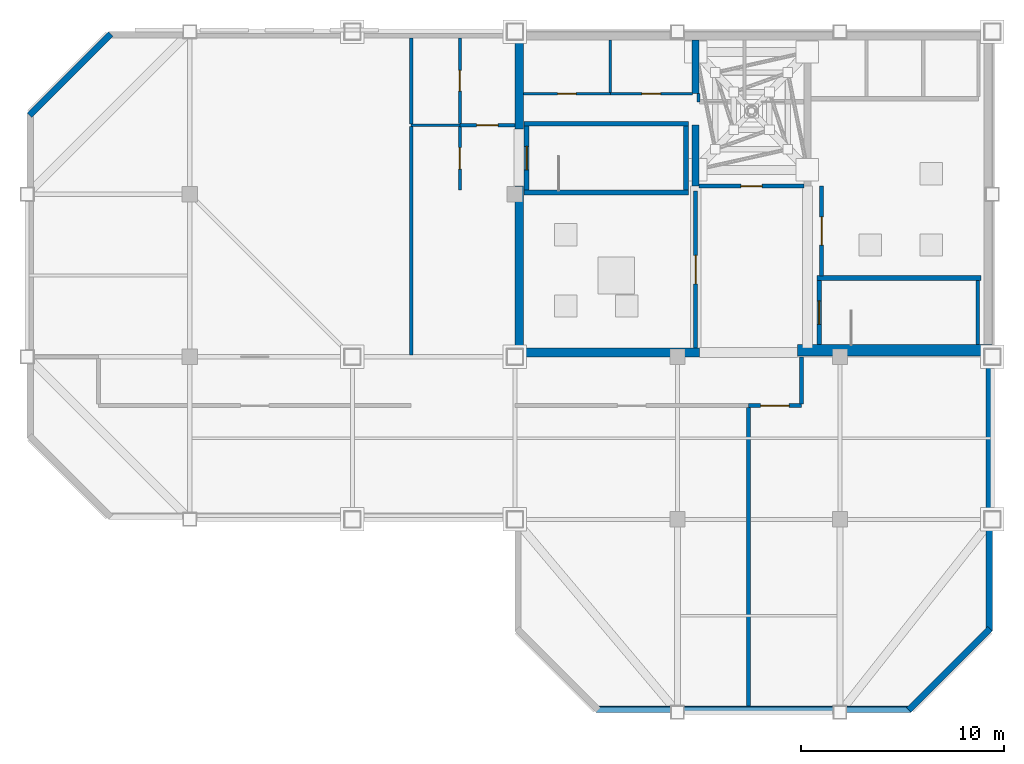
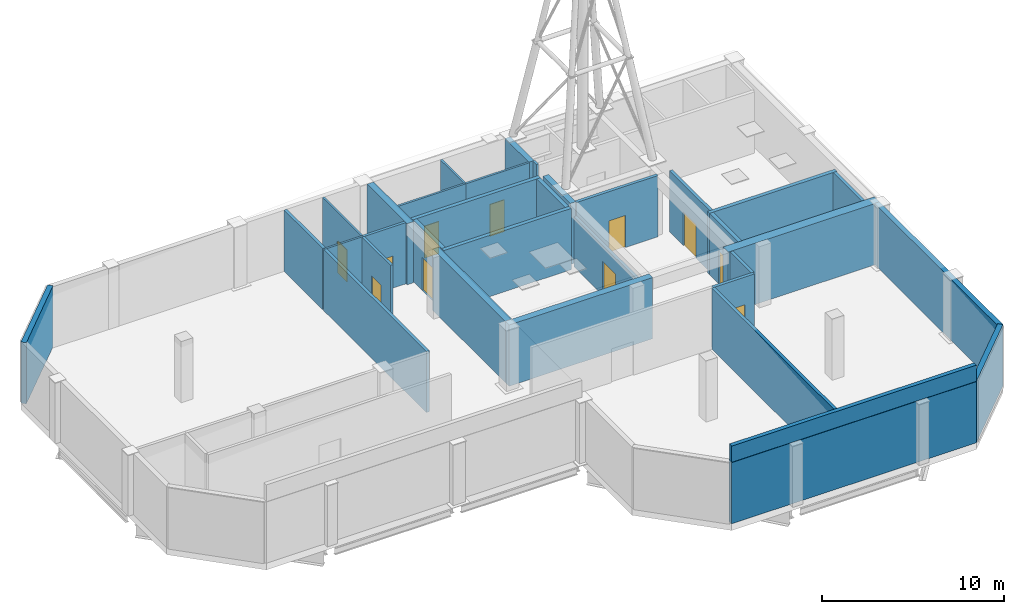
# One storey, part 5 of 7: 34 walls, 11 doors, 11 openings.
"""IFC4 building model written with IfcOpenShell, lengths in metres."""

from ifc_helpers import new_model, si_unit, direction, frame, frame_2d, origin, place, context, subcontext, project, spatial, rectangle, extrude, material, layer, layer_set, type_object, element, fill, save


model = new_model("IFC4")

# Units and contexts
model_context = context("Model", 3, precision=1e-05, world=origin(), true_north=direction((0.0, 1.0)))
body_context = subcontext(model_context, "Body", "Model", "MODEL_VIEW")
ifc_project = project(units=[si_unit("LENGTHUNIT", "METRE"), si_unit("AREAUNIT", "SQUARE_METRE"), si_unit("VOLUMEUNIT", "CUBIC_METRE"), si_unit("PLANEANGLEUNIT", "RADIAN"), si_unit("MASSUNIT", "GRAM", prefix="KILO")], contexts=[model_context])

# Site, building, storey
site_placement = place(None, origin())
site = spatial("IfcSite", under=ifc_project, at=site_placement, CompositionType="ELEMENT")
building_placement = place(site_placement, origin())
building = spatial("IfcBuilding", under=site, at=building_placement, Name="Qianrong Seaharbour Tower", CompositionType="ELEMENT")
storey_placement = place(building_placement, frame((0.0, 0.0, 383.800048828125)))
storey = spatial("IfcBuildingStorey", under=building, at=storey_placement, Name="L92", CompositionType="ELEMENT", Elevation=383.800048828125)

# Walls
ifc_material_1 = material(Name="Concrete C50/60", Category="concrete")
ifc_layer_1 = layer(ifc_material_1, 0.419921875)
ifc_layer_set_1 = layer_set([ifc_layer_1], Name="Concrete C50/60")
wall_type_1 = type_object("IfcWallType", Name="WALL-CORE-420", PredefinedType="SHEAR", material=ifc_layer_set_1)
wall_1_placement = place(storey_placement, frame((40.7099609375, 36.419921875, 0.0), z_axis=(0.0, 0.0, 1.0), x_axis=(0.0, 1.0, 0.0)))
element("IfcWall", 1, at=wall_1_placement, inside=storey, type_object=wall_type_1, Name="L92 West Core Shear Wall South", PredefinedType="SHEAR", context=body_context, shape_type="SweptSolid", body=[
    extrude(rectangle(XDim=7.97998046875, YDim=0.419921875, at=frame_2d((3.989990234375, 0.0))), origin(), (0.0, 0.0, 1.0), 4.099853515625),
])
wall_2_placement = place(storey_placement, frame((40.7099609375, 47.199951171875, 0.0), z_axis=(0.0, 0.0, 1.0), x_axis=(0.0, 1.0, 0.0)))
element("IfcWall", 2, at=wall_2_placement, inside=storey, type_object=wall_type_1, Name="L92 West Core Shear Wall North", PredefinedType="SHEAR", context=body_context, shape_type="SweptSolid", body=[
    extrude(rectangle(XDim=4.380126953125, YDim=0.419921875, at=frame_2d((2.18994140625, 0.0))), origin(), (0.0, 0.0, 1.0), 4.099853515625),
])
wall_3_placement = place(storey_placement, frame((40.5, 36.2099609375, 0.0), z_axis=(0.0, 0.0, 1.0), x_axis=(1.0, 0.0, 0.0)))
element("IfcWall", 3, at=wall_3_placement, inside=storey, type_object=wall_type_1, Name="L92 South Core Shear Wall S1", PredefinedType="SHEAR", context=body_context, shape_type="SweptSolid", body=[
    extrude(rectangle(XDim=9.10009765625, YDim=0.419921875, at=frame_2d((4.550048828125, 0.0))), origin(), (0.0, 0.0, 1.0), 4.099853515625),
])
ifc_material_2 = material(Name="Concrete C70/85", Category="concrete")
ifc_layer_2 = layer(ifc_material_2, 0.580078125)
ifc_layer_set_2 = layer_set([ifc_layer_2], Name="Concrete C70/85")
wall_type_2 = type_object("IfcWallType", Name="WALL-CORE-580", PredefinedType="SHEAR", material=ifc_layer_set_2)
wall_4_placement = place(storey_placement, frame((54.39990234375, 36.320068359375, 0.0), z_axis=(0.0, 0.0, 1.0), x_axis=(1.0, 0.0, 0.0)))
element("IfcWall", 4, at=wall_4_placement, inside=storey, type_object=wall_type_2, Name="L92 South Core Shear Wall S3", PredefinedType="SHEAR", context=body_context, shape_type="SweptSolid", body=[
    extrude(rectangle(XDim=9.60009765625, YDim=0.580078125, at=frame_2d((4.800048828125, 0.0))), origin(), (0.0, 0.0, 1.0), 4.099853515625),
])
ifc_layer_3 = layer(ifc_material_1, 0.35009765625)
ifc_layer_set_3 = layer_set([ifc_layer_3], Name="Concrete C50/60")
wall_type_3 = type_object("IfcWallType", Name="WALL-CORE-INT-350", PredefinedType="SHEAR", material=ifc_layer_set_3)
wall_5_placement = place(storey_placement, frame((49.39990234375, 44.39990234375, 0.0), z_axis=(0.0, 0.0, 1.0), x_axis=(0.0, 1.0, 0.0)))
element("IfcWall", 5, at=wall_5_placement, inside=storey, type_object=wall_type_3, Name="L92 Internal Core Shear Wall IW1N1", PredefinedType="SHEAR", context=body_context, shape_type="SweptSolid", body=[
    extrude(rectangle(XDim=3.0, YDim=0.35009765625, at=frame_2d((1.5, 0.0))), origin(), (0.0, 0.0, 1.0), 4.099853515625),
])
wall_6_placement = place(storey_placement, frame((49.39990234375, 48.949951171875, 0.0), z_axis=(0.0, 0.0, 1.0), x_axis=(0.0, 1.0, 0.0)))
element("IfcWall", 6, at=wall_6_placement, inside=storey, type_object=wall_type_3, Name="L92 Internal Core Shear Wall IW1N2", PredefinedType="SHEAR", context=body_context, shape_type="SweptSolid", body=[
    extrude(rectangle(XDim=2.630126953125, YDim=0.35009765625, at=frame_2d((1.31494140625, 0.0))), origin(), (0.0, 0.0, 1.0), 4.099853515625),
])

# Wall, opening, door
ifc_material_3 = material(Name="Fire-rated acoustic gypsum board partition")
ifc_layer_4 = layer(ifc_material_3, 0.1650390625)
ifc_layer_set_4 = layer_set([ifc_layer_4], Name="Fire-rated acoustic gypsum board partition")
wall_type_4 = type_object("IfcWallType", Name="WALL-CORR-PART-165", PredefinedType="PARTITIONING", material=ifc_layer_set_4)
wall_7_placement = place(storey_placement, frame((37.800048828125, 47.39990234375, 0.0), z_axis=(0.0, 0.0, 1.0), x_axis=(1.0, 0.0, 0.0)))
wall_7 = element("IfcWall", 7, at=wall_7_placement, inside=storey, type_object=wall_type_4, Name="L92 Interior Partition Wall 001", PredefinedType="PARTITIONING", context=body_context, shape_type="SweptSolid", body=[
    extrude(rectangle(XDim=2.699951171875, YDim=0.1650390625, at=frame_2d((1.35009765625, 0.0))), origin(), (0.0, 0.0, 1.0), 4.099853515625),
])
opening_1_placement = place(wall_7_placement, frame((0.824951171875, 0.0, 0.0)))
opening_1 = element("IfcOpeningElement", 8, at=opening_1_placement, cuts=wall_7, Name="Opening DC-01", PredefinedType="OPENING", context=body_context, shape_type="SweptSolid", body=[
    extrude(rectangle(XDim=1.050048828125, YDim=2.14990234375, at=frame_2d((0.52490234375, 1.074951171875))), frame((0.0, 0.092529296875, 0.0), z_axis=(0.0, -1.0, 0.0), x_axis=(1.0, 0.0, 0.0)), (0.0, 0.0, 1.0), 0.18505859375),
])
ifc_material_4 = material(Name="Acoustic timber and galvanized steel fire door assembly", Category="steel")
door_type_1 = type_object("IfcDoorType", Name="DOOR-CORR-FD60-1050x2150", OperationType="NOTDEFINED", PredefinedType="DOOR", material=ifc_material_4)
door_1_placement = place(opening_1_placement, origin())
door_1 = element("IfcDoor", 9, at=door_1_placement, inside=storey, type_object=door_type_1, Name="L92 Smokeproof Stair Vestibule ST-1 Door", OperationType="SINGLE_SWING_LEFT", OverallHeight=2.14990234375, OverallWidth=1.050048828125, PredefinedType="DOOR", context=body_context, shape_type="SweptSolid", body=[
    extrude(rectangle(XDim=1.050048828125, YDim=2.14990234375, at=frame_2d((0.52490234375, 1.074951171875))), frame((0.0, 0.02490234375, 0.0), z_axis=(0.0, -1.0, 0.0), x_axis=(1.0, 0.0, 0.0)), (0.0, 0.0, 1.0), 0.050048828125),
])
fill(opening_1, door_1)

wall_8_placement = place(storey_placement, frame((37.800048828125, 44.199951171875, 0.0), z_axis=(0.0, 0.0, 1.0), x_axis=(0.0, 1.0, 0.0)))
wall_8 = element("IfcWall", 10, at=wall_8_placement, inside=storey, type_object=wall_type_4, Name="L92 Interior Partition Wall 002", PredefinedType="PARTITIONING", context=body_context, shape_type="SweptSolid", body=[
    extrude(rectangle(XDim=3.12548828125, YDim=0.1650390625, at=frame_2d((1.562744140625, 0.0))), origin(), (0.0, 0.0, 1.0), 4.099853515625),
])
opening_2_placement = place(wall_8_placement, frame((1.03759765625, 0.0, 0.0)))
opening_2 = element("IfcOpeningElement", 11, at=opening_2_placement, cuts=wall_8, Name="Opening DC-01", PredefinedType="OPENING", context=body_context, shape_type="SweptSolid", body=[
    extrude(rectangle(XDim=1.050048828125, YDim=2.14990234375, at=frame_2d((0.52490234375, 1.074951171875))), frame((0.0, 0.092529296875, 0.0), z_axis=(0.0, -1.0, 0.0), x_axis=(1.0, 0.0, 0.0)), (0.0, 0.0, 1.0), 0.18505859375),
])
door_2_placement = place(opening_2_placement, origin())
door_2 = element("IfcDoor", 12, at=door_2_placement, inside=storey, type_object=door_type_1, Name="L92 Smokeproof Stair Vestibule ST-1 Door", OperationType="SINGLE_SWING_RIGHT", OverallHeight=2.14990234375, OverallWidth=1.050048828125, PredefinedType="DOOR", context=body_context, shape_type="SweptSolid", body=[
    extrude(rectangle(XDim=1.050048828125, YDim=2.14990234375, at=frame_2d((0.52490234375, 1.074951171875))), frame((0.0, 0.02490234375, 0.0), z_axis=(0.0, -1.0, 0.0), x_axis=(1.0, 0.0, 0.0)), (0.0, 0.0, 1.0), 0.050048828125),
])
fill(opening_2, door_2)

# Walls
ifc_material_5 = material(Name="White architectural precast concrete C45/55", Category="concrete")
ifc_layer_5 = layer(ifc_material_5, 0.31005859375)
ifc_layer_set_5 = layer_set([ifc_layer_5], Name="White architectural precast concrete C45/55")
wall_type_5 = type_object("IfcWallType", Name="WALL-EXT-CROWN-WHITE-310", PredefinedType="SOLIDWALL", material=ifc_layer_set_5)
wall_9_placement = place(storey_placement, frame((16.609619140625, 47.890380859375, 0.0), z_axis=(0.0, 0.0, 1.0), x_axis=(0.707106781187, 0.707106781187, 0.0)))
element("IfcWall", 13, at=wall_9_placement, inside=storey, type_object=wall_type_5, Name="L92 Exterior Masonry Facade Wall E04", PredefinedType="SOLIDWALL", context=body_context, shape_type="SweptSolid", body=[
    extrude(rectangle(XDim=5.65673828125, YDim=0.31005859375, at=frame_2d((2.828369140625, 0.0))), origin(), (0.0, 0.0, 1.0), 4.099853515625),
])
wall_10_placement = place(storey_placement, frame((63.844970703125, 36.050048828125, 0.0), z_axis=(0.0, 0.0, 1.0), x_axis=(0.0, -1.0, 0.0)))
element("IfcWall", 14, at=wall_10_placement, inside=storey, type_object=wall_type_5, Name="L92 Exterior Masonry Facade Wall EAST_WING", PredefinedType="SOLIDWALL", context=body_context, shape_type="SweptSolid", body=[
    extrude(rectangle(XDim=13.550048828125, YDim=0.31005859375, at=frame_2d((6.77490234375, 0.0))), origin(), (0.0, 0.0, 1.0), 4.099853515625),
])
wall_11_placement = place(storey_placement, frame((63.890380859375, 22.609619140625, 0.0), z_axis=(0.0, 0.0, 1.0), x_axis=(-0.707106781187, -0.707106781187, 0.0)))
element("IfcWall", 15, at=wall_11_placement, inside=storey, type_object=wall_type_5, Name="L92 Exterior Masonry Facade Wall E07", PredefinedType="SOLIDWALL", context=body_context, shape_type="SweptSolid", body=[
    extrude(rectangle(XDim=5.65673828125, YDim=0.31005859375, at=frame_2d((2.828369140625, 0.0))), origin(), (0.0, 0.0, 1.0), 4.099853515625),
])
wall_12_placement = place(storey_placement, frame((60.0, 18.655029296875, 0.0), z_axis=(0.0, 0.0, 1.0), x_axis=(-1.0, 0.0, 0.0)))
element("IfcWall", 16, at=wall_12_placement, inside=storey, type_object=wall_type_5, Name="L92 Exterior Masonry Facade Wall SOUTH_TIP", PredefinedType="SOLIDWALL", context=body_context, shape_type="SweptSolid", body=[
    extrude(rectangle(XDim=15.5, YDim=0.31005859375, at=frame_2d((7.75, 0.0))), origin(), (0.0, 0.0, 1.0), 4.099853515625),
])
ifc_material_6 = material(Name="Double fire-rated gypsum board acoustic partition")
ifc_layer_6 = layer(ifc_material_6, 0.18994140625)
ifc_layer_set_6 = layer_set([ifc_layer_6], Name="Double fire-rated gypsum board acoustic partition")
wall_type_6 = type_object("IfcWallType", Name="WALL-FIRE-PART-190", PredefinedType="PARTITIONING", material=ifc_layer_set_6)
wall_13_placement = place(storey_placement, frame((35.39990234375, 47.45703125, 0.0), z_axis=(0.0, 0.0, 1.0), x_axis=(0.0, 1.0, 0.0)))
element("IfcWall", 17, at=wall_13_placement, inside=storey, type_object=wall_type_6, Name="L92 Interior Partition Wall 005", PredefinedType="PARTITIONING", context=body_context, shape_type="SweptSolid", body=[
    extrude(rectangle(XDim=4.240966796875, YDim=0.18994140625, at=frame_2d((2.12060546875, 0.0))), origin(), (0.0, 0.0, 1.0), 4.099853515625),
])

# Wall, opening, door
wall_14_placement = place(storey_placement, frame((54.73291015625, 44.39990234375, 0.0), z_axis=(0.0, 0.0, 1.0), x_axis=(-1.0, 0.0, 0.0)))
wall_14 = element("IfcWall", 18, at=wall_14_placement, inside=storey, type_object=wall_type_6, Name="L92 Interior Partition Wall 008", PredefinedType="PARTITIONING", context=body_context, shape_type="SweptSolid", body=[
    extrude(rectangle(XDim=5.166015625, YDim=0.18994140625, at=frame_2d((2.5830078125, 0.0))), origin(), (0.0, 0.0, 1.0), 4.099853515625),
])
opening_3_placement = place(wall_14_placement, frame((2.05810546875, 0.0, 0.0)))
opening_3 = element("IfcOpeningElement", 19, at=opening_3_placement, cuts=wall_14, Name="Opening DC-01", PredefinedType="OPENING", context=body_context, shape_type="SweptSolid", body=[
    extrude(rectangle(XDim=1.050048828125, YDim=2.14990234375, at=frame_2d((0.52490234375, 1.074951171875))), frame((0.0, 0.10498046875, 0.0), z_axis=(0.0, -1.0, 0.0), x_axis=(1.0, 0.0, 0.0)), (0.0, 0.0, 1.0), 0.2099609375),
])
door_3_placement = place(opening_3_placement, origin())
door_3 = element("IfcDoor", 20, at=door_3_placement, inside=storey, type_object=door_type_1, Name="L92 Firefighting Lift Lobby Door", OperationType="SINGLE_SWING_LEFT", OverallHeight=2.14990234375, OverallWidth=1.050048828125, PredefinedType="DOOR", context=body_context, shape_type="SweptSolid", body=[
    extrude(rectangle(XDim=1.050048828125, YDim=2.14990234375, at=frame_2d((0.52490234375, 1.074951171875))), frame((0.0, 0.02490234375, 0.0), z_axis=(0.0, -1.0, 0.0), x_axis=(1.0, 0.0, 0.0)), (0.0, 0.0, 1.0), 0.050048828125),
])
fill(opening_3, door_3)

wall_15_placement = place(storey_placement, frame((49.39990234375, 36.419921875, 0.0), z_axis=(0.0, 0.0, 1.0), x_axis=(0.0, 1.0, 0.0)))
wall_15 = element("IfcWall", 21, at=wall_15_placement, inside=storey, type_object=wall_type_6, Name="L92 Interior Partition Wall 009", PredefinedType="PARTITIONING", context=body_context, shape_type="SweptSolid", body=[
    extrude(rectangle(XDim=7.72998046875, YDim=0.18994140625, at=frame_2d((3.864990234375, 0.0))), origin(), (0.0, 0.0, 1.0), 3.342041015625),
])
opening_4_placement = place(wall_15_placement, frame((3.1650390625, 0.0, 0.0)))
opening_4 = element("IfcOpeningElement", 22, at=opening_4_placement, cuts=wall_15, Name="Opening DP-01", PredefinedType="OPENING", context=body_context, shape_type="SweptSolid", body=[
    extrude(rectangle(XDim=1.39990234375, YDim=2.25, at=frame_2d((0.699951171875, 1.125))), frame((0.0, 0.10498046875, 0.0), z_axis=(0.0, -1.0, 0.0), x_axis=(1.0, 0.0, 0.0)), (0.0, 0.0, 1.0), 0.2099609375),
])
door_type_2 = type_object("IfcDoorType", Name="DOOR-PLANT-PAIR-1400x2250", OperationType="DOUBLE_DOOR_SINGLE_SWING", PredefinedType="DOOR", material=ifc_material_4)
door_4_placement = place(opening_4_placement, origin())
door_4 = element("IfcDoor", 23, at=door_4_placement, inside=storey, type_object=door_type_2, Name="L92 Crown Mechanical Plant Room Door", OperationType="DOUBLE_DOOR_SINGLE_SWING", OverallHeight=2.25, OverallWidth=1.39990234375, PredefinedType="DOOR", context=body_context, shape_type="SweptSolid", body=[
    extrude(rectangle(XDim=1.39990234375, YDim=2.25, at=frame_2d((0.699951171875, 1.125))), frame((0.0, 0.02490234375, 0.0), z_axis=(0.0, -1.0, 0.0), x_axis=(1.0, 0.0, 0.0)), (0.0, 0.0, 1.0), 0.050048828125),
])
fill(opening_4, door_4)

wall_16_placement = place(storey_placement, frame((55.60009765625, 44.39990234375, 0.0), z_axis=(0.0, 0.0, 1.0), x_axis=(0.0, -1.0, 0.0)))
wall_16 = element("IfcWall", 24, at=wall_16_placement, inside=storey, type_object=wall_type_6, Name="L92 Interior Partition Wall 010", PredefinedType="PARTITIONING", context=body_context, shape_type="SweptSolid", body=[
    extrude(rectangle(XDim=4.41796875, YDim=0.18994140625, at=frame_2d((2.208984375, 0.0))), origin(), (0.0, 0.0, 1.0), 4.099853515625),
])
opening_5_placement = place(wall_16_placement, frame((1.509033203125, 0.0, 0.0)))
opening_5 = element("IfcOpeningElement", 25, at=opening_5_placement, cuts=wall_16, Name="Opening DP-01", PredefinedType="OPENING", context=body_context, shape_type="SweptSolid", body=[
    extrude(rectangle(XDim=1.39990234375, YDim=2.25, at=frame_2d((0.699951171875, 1.125))), frame((0.0, 0.10498046875, 0.0), z_axis=(0.0, -1.0, 0.0), x_axis=(1.0, 0.0, 0.0)), (0.0, 0.0, 1.0), 0.2099609375),
])
door_5_placement = place(opening_5_placement, origin())
door_5 = element("IfcDoor", 26, at=door_5_placement, inside=storey, type_object=door_type_2, Name="L92 Lift Overrun Room Door", OperationType="DOUBLE_DOOR_SINGLE_SWING", OverallHeight=2.25, OverallWidth=1.39990234375, PredefinedType="DOOR", context=body_context, shape_type="SweptSolid", body=[
    extrude(rectangle(XDim=1.39990234375, YDim=2.25, at=frame_2d((0.699951171875, 1.125))), frame((0.0, 0.02490234375, 0.0), z_axis=(0.0, -1.0, 0.0), x_axis=(1.0, 0.0, 0.0)), (0.0, 0.0, 1.0), 0.050048828125),
])
fill(opening_5, door_5)

# Wall
wall_17_placement = place(storey_placement, frame((54.60009765625, 36.0, 0.0), z_axis=(0.0, 0.0, 1.0), x_axis=(0.0, -1.0, 0.0)))
element("IfcWall", 27, at=wall_17_placement, inside=storey, type_object=wall_type_6, Name="L92 Interior Partition Wall 016", PredefinedType="PARTITIONING", context=body_context, shape_type="SweptSolid", body=[
    extrude(rectangle(XDim=2.31298828125, YDim=0.18994140625, at=frame_2d((1.156494140625, 0.0))), origin(), (0.0, 0.0, 1.0), 4.099853515625),
])

# Wall, opening, door
wall_18_placement = place(storey_placement, frame((54.60009765625, 33.60009765625, 0.0), z_axis=(0.0, 0.0, 1.0), x_axis=(-1.0, 0.0, 0.0)))
wall_18 = element("IfcWall", 28, at=wall_18_placement, inside=storey, type_object=wall_type_6, Name="L92 Interior Partition Wall 017", PredefinedType="PARTITIONING", context=body_context, shape_type="SweptSolid", body=[
    extrude(rectangle(XDim=2.60009765625, YDim=0.18994140625, at=frame_2d((1.300048828125, 0.0))), origin(), (0.0, 0.0, 1.0), 4.099853515625),
])
opening_6_placement = place(wall_18_placement, frame((0.60009765625, 0.0, 0.0)))
opening_6 = element("IfcOpeningElement", 29, at=opening_6_placement, cuts=wall_18, Name="Opening DP-01", PredefinedType="OPENING", context=body_context, shape_type="SweptSolid", body=[
    extrude(rectangle(XDim=1.39990234375, YDim=2.25, at=frame_2d((0.699951171875, 1.125))), frame((0.0, 0.10498046875, 0.0), z_axis=(0.0, -1.0, 0.0), x_axis=(1.0, 0.0, 0.0)), (0.0, 0.0, 1.0), 0.2099609375),
])
door_6_placement = place(opening_6_placement, origin())
door_6 = element("IfcDoor", 30, at=door_6_placement, inside=storey, type_object=door_type_2, Name="L92 Fire Water Tank Room Door", OperationType="DOUBLE_DOOR_SINGLE_SWING", OverallHeight=2.25, OverallWidth=1.39990234375, PredefinedType="DOOR", context=body_context, shape_type="SweptSolid", body=[
    extrude(rectangle(XDim=1.39990234375, YDim=2.25, at=frame_2d((0.699951171875, 1.125))), frame((0.0, 0.02490234375, 0.0), z_axis=(0.0, -1.0, 0.0), x_axis=(1.0, 0.0, 0.0)), (0.0, 0.0, 1.0), 0.050048828125),
])
fill(opening_6, door_6)

# Walls
wall_19_placement = place(storey_placement, frame((35.39990234375, 36.0869140625, 0.0), z_axis=(0.0, 0.0, 1.0), x_axis=(0.0, 1.0, 0.0)))
element("IfcWall", 31, at=wall_19_placement, inside=storey, type_object=wall_type_6, Name="L92 Interior Partition Wall 018", PredefinedType="PARTITIONING", context=body_context, shape_type="SweptSolid", body=[
    extrude(rectangle(XDim=11.256103515625, YDim=0.18994140625, at=frame_2d((5.6279296875, 0.0))), origin(), (0.0, 0.0, 1.0), 4.099853515625),
])
wall_20_placement = place(storey_placement, frame((52.0, 33.512939453125, 0.0), z_axis=(0.0, 0.0, 1.0), x_axis=(0.0, -1.0, 0.0)))
element("IfcWall", 32, at=wall_20_placement, inside=storey, type_object=wall_type_6, Name="L92 Interior Partition Wall 020", PredefinedType="PARTITIONING", context=body_context, shape_type="SweptSolid", body=[
    extrude(rectangle(XDim=14.7109375, YDim=0.18994140625, at=frame_2d((7.35546875, 0.0))), origin(), (0.0, 0.0, 1.0), 4.099853515625),
])
ifc_layer_7 = layer(ifc_material_5, 0.260009765625)
ifc_layer_set_7 = layer_set([ifc_layer_7], Name="White architectural precast concrete C45/55")
wall_type_7 = type_object("IfcWallType", Name="WALL-PARAPET-WHITE-260", PredefinedType="PARAPET", material=ifc_layer_set_7)
wall_21_placement = place(storey_placement, frame((44.5, 18.6298828125, 4.119873046875), z_axis=(0.0, 0.0, 1.0), x_axis=(1.0, 0.0, 0.0)))
element("IfcWall", 33, at=wall_21_placement, inside=storey, type_object=wall_type_7, Name="L92 Upturned White Precast Crown Crest Parapet South-Harbour", PredefinedType="PARAPET", context=body_context, shape_type="SweptSolid", body=[
    extrude(rectangle(XDim=15.5, YDim=0.260009765625, at=frame_2d((7.75, 0.0))), origin(), (0.0, 0.0, 1.0), 1.080078125),
])
ifc_material_7 = material(Name="Fire-rated gypsum board on steel studs", Category="steel")
ifc_layer_8 = layer(ifc_material_7, 0.14990234375)
ifc_layer_set_8 = layer_set([ifc_layer_8], Name="Fire-rated gypsum board on steel studs")
wall_type_8 = type_object("IfcWallType", Name="WALL-SHAFT-DIV-150", PredefinedType="PARTITIONING", material=ifc_layer_set_8)
wall_22_placement = place(storey_placement, frame((49.550048828125, 48.550048828125, 0.0), z_axis=(0.0, 0.0, 1.0), x_axis=(0.0, 1.0, 0.0)))
element("IfcWall", 34, at=wall_22_placement, inside=storey, type_object=wall_type_8, Name="L92 Firefighting Lift Shaft West Return Wall", PredefinedType="PARTITIONING", context=body_context, shape_type="SweptSolid", body=[
    extrude(rectangle(XDim=0.39990234375, YDim=0.14990234375, at=frame_2d((0.199951171875, 0.0))), origin(), (0.0, 0.0, 1.0), 4.099853515625),
])
ifc_layer_9 = layer(ifc_material_1, 0.239990234375)
ifc_layer_set_9 = layer_set([ifc_layer_9], Name="Concrete C50/60")
wall_type_9 = type_object("IfcWallType", Name="WALL-SHAFT-RC240", PredefinedType="SOLIDWALL", material=ifc_layer_set_9)
for number, where, z_axis, x_axis, name in (
    (35, (40.9599609375, 47.469970703125, 0.0), (0.0, 0.0, 1.0), (1.0, 0.0, 0.0), "L92 ST-1 Structural Stair Core Wall N"),
    (36, (49.0400390625, 44.080078125, 0.0), (0.0, 0.0, 1.0), (-1.0, 0.0, 0.0), "L92 ST-1 Structural Stair Core Wall S"),
):
    element("IfcWall", number, at=place(storey_placement, frame(where, z_axis=z_axis, x_axis=x_axis)), inside=storey, type_object=wall_type_9, Name=name, PredefinedType="SOLIDWALL", context=body_context, shape_type="SweptSolid", body=[
        extrude(rectangle(XDim=8.080078125, YDim=0.239990234375, at=frame_2d((4.0400390625, 0.0))), origin(), (0.0, 0.0, 1.0), 4.099853515625),
    ])

# Wall, opening, door
wall_23_placement = place(storey_placement, frame((41.080078125, 47.35009765625, 0.0), z_axis=(0.0, 0.0, 1.0), x_axis=(0.0, -1.0, 0.0)))
wall_23 = element("IfcWall", 37, at=wall_23_placement, inside=storey, type_object=wall_type_9, Name="L92 ST-1 Structural Stair Core Wall W", PredefinedType="SOLIDWALL", context=body_context, shape_type="SweptSolid", body=[
    extrude(rectangle(XDim=3.150146484375, YDim=0.239990234375, at=frame_2d((1.5751953125, 0.0))), origin(), (0.0, 0.0, 1.0), 4.099853515625),
])
opening_7_placement = place(wall_23_placement, frame((1.0, 0.0, 0.0)))
opening_7 = element("IfcOpeningElement", 38, at=opening_7_placement, cuts=wall_23, Name="Opening SD-01", PredefinedType="OPENING", context=body_context, shape_type="SweptSolid", body=[
    extrude(rectangle(XDim=1.14990234375, YDim=2.199951171875, at=frame_2d((0.574951171875, 1.10009765625))), frame((0.0, 0.1298828125, 0.0), z_axis=(0.0, -1.0, 0.0), x_axis=(1.0, 0.0, 0.0)), (0.0, 0.0, 1.0), 0.260009765625),
])
door_type_3 = type_object("IfcDoorType", Name="DOOR-STAIR-FD60-1150x2200", OperationType="NOTDEFINED", PredefinedType="DOOR", material=ifc_material_4)
door_7_placement = place(opening_7_placement, origin())
door_7 = element("IfcDoor", 39, at=door_7_placement, inside=storey, type_object=door_type_3, Name="L92 ST-1 Protected Stair Door", OperationType="SINGLE_SWING_LEFT", OverallHeight=2.199951171875, OverallWidth=1.14990234375, PredefinedType="DOOR", context=body_context, shape_type="SweptSolid", body=[
    extrude(rectangle(XDim=1.14990234375, YDim=2.199951171875, at=frame_2d((0.574951171875, 1.10009765625))), frame((0.0, 0.02490234375, 0.0), z_axis=(0.0, -1.0, 0.0), x_axis=(1.0, 0.0, 0.0)), (0.0, 0.0, 1.0), 0.050048828125),
])
fill(opening_7, door_7)

# Walls
wall_24_placement = place(storey_placement, frame((48.919921875, 44.199951171875, 0.0), z_axis=(0.0, 0.0, 1.0), x_axis=(0.0, 1.0, 0.0)))
element("IfcWall", 40, at=wall_24_placement, inside=storey, type_object=wall_type_9, Name="L92 ST-1 Structural Stair Core Wall E", PredefinedType="SOLIDWALL", context=body_context, shape_type="SweptSolid", body=[
    extrude(rectangle(XDim=3.150146484375, YDim=0.239990234375, at=frame_2d((1.5751953125, 0.0))), origin(), (0.0, 0.0, 1.0), 4.099853515625),
])
wall_25_placement = place(storey_placement, frame((55.360107421875, 39.8701171875, 0.0), z_axis=(0.0, 0.0, 1.0), x_axis=(1.0, 0.0, 0.0)))
element("IfcWall", 41, at=wall_25_placement, inside=storey, type_object=wall_type_9, Name="L92 ST-2 Structural Stair Core Wall N", PredefinedType="SOLIDWALL", context=body_context, shape_type="SweptSolid", body=[
    extrude(rectangle(XDim=8.079833984375, YDim=0.239990234375, at=frame_2d((4.0400390625, 0.0))), origin(), (0.0, 0.0, 1.0), 4.099853515625),
])

# Wall, opening, door
wall_26_placement = place(storey_placement, frame((55.47998046875, 39.75, 0.0), z_axis=(0.0, 0.0, 1.0), x_axis=(0.0, -1.0, 0.0)))
wall_26 = element("IfcWall", 42, at=wall_26_placement, inside=storey, type_object=wall_type_9, Name="L92 ST-2 Structural Stair Core Wall W", PredefinedType="SOLIDWALL", context=body_context, shape_type="SweptSolid", body=[
    extrude(rectangle(XDim=3.14990234375, YDim=0.239990234375, at=frame_2d((1.574951171875, 0.0))), origin(), (0.0, 0.0, 1.0), 4.099853515625),
])
opening_8_placement = place(wall_26_placement, frame((1.0, 0.0, 0.0)))
opening_8 = element("IfcOpeningElement", 43, at=opening_8_placement, cuts=wall_26, Name="Opening SD-01", PredefinedType="OPENING", context=body_context, shape_type="SweptSolid", body=[
    extrude(rectangle(XDim=1.14990234375, YDim=2.199951171875, at=frame_2d((0.574951171875, 1.10009765625))), frame((0.0, 0.1298828125, 0.0), z_axis=(0.0, -1.0, 0.0), x_axis=(1.0, 0.0, 0.0)), (0.0, 0.0, 1.0), 0.260009765625),
])
door_8_placement = place(opening_8_placement, origin())
door_8 = element("IfcDoor", 44, at=door_8_placement, inside=storey, type_object=door_type_3, Name="L92 ST-2 Protected Stair Door", OperationType="SINGLE_SWING_LEFT", OverallHeight=2.199951171875, OverallWidth=1.14990234375, PredefinedType="DOOR", context=body_context, shape_type="SweptSolid", body=[
    extrude(rectangle(XDim=1.14990234375, YDim=2.199951171875, at=frame_2d((0.574951171875, 1.10009765625))), frame((0.0, 0.02490234375, 0.0), z_axis=(0.0, -1.0, 0.0), x_axis=(1.0, 0.0, 0.0)), (0.0, 0.0, 1.0), 0.050048828125),
])
fill(opening_8, door_8)

# Wall
wall_27_placement = place(storey_placement, frame((63.2900390625, 36.60009765625, 0.0), z_axis=(0.0, 0.0, 1.0), x_axis=(0.0, 1.0, 0.0)))
element("IfcWall", 45, at=wall_27_placement, inside=storey, type_object=wall_type_9, Name="L92 ST-2 Structural Stair Core Wall E", PredefinedType="SOLIDWALL", context=body_context, shape_type="SweptSolid", body=[
    extrude(rectangle(XDim=3.14990234375, YDim=0.179931640625, at=frame_2d((1.574951171875, 0.0))), origin(), (0.0, 0.0, 1.0), 4.099853515625),
])

# Wall, opening, door
ifc_material_8 = material(Name="Water-resistant cement board sanitary partition")
ifc_layer_10 = layer(ifc_material_8, 0.1298828125)
ifc_layer_set_10 = layer_set([ifc_layer_10], Name="Water-resistant cement board sanitary partition")
wall_type_10 = type_object("IfcWallType", Name="WALL-WET-PART-130", PredefinedType="PARTITIONING", material=ifc_layer_set_10)
wall_28_placement = place(storey_placement, frame((37.800048828125, 47.474609375, 0.0), z_axis=(0.0, 0.0, 1.0), x_axis=(0.0, 1.0, 0.0)))
wall_28 = element("IfcWall", 46, at=wall_28_placement, inside=storey, type_object=wall_type_10, Name="L92 Interior Partition Wall 003", PredefinedType="PARTITIONING", context=body_context, shape_type="SweptSolid", body=[
    extrude(rectangle(XDim=4.223388671875, YDim=0.1298828125, at=frame_2d((2.11181640625, 0.0))), origin(), (0.0, 0.0, 1.0), 4.099853515625),
])
opening_9_placement = place(wall_28_placement, frame((1.601806640625, 0.0, 0.0)))
opening_9 = element("IfcOpeningElement", 47, at=opening_9_placement, cuts=wall_28, Name="Opening DAW-01", PredefinedType="OPENING", context=body_context, shape_type="SweptSolid", body=[
    extrude(rectangle(XDim=1.02001953125, YDim=2.14990234375, at=frame_2d((0.510009765625, 1.074951171875))), frame((0.0, 0.074951171875, 0.0), z_axis=(0.0, -1.0, 0.0), x_axis=(1.0, 0.0, 0.0)), (0.0, 0.0, 1.0), 0.14990234375),
])
door_type_4 = type_object("IfcDoorType", Name="DOOR-AWC-SLIDE-1020x2150", OperationType="SLIDING_TO_LEFT", PredefinedType="DOOR", material=ifc_material_4)
door_9_placement = place(opening_9_placement, origin())
door_9 = element("IfcDoor", 48, at=door_9_placement, inside=storey, type_object=door_type_4, Name="L92 Accessible Restroom WC Door", OperationType="SLIDING_TO_LEFT", OverallHeight=2.14990234375, OverallWidth=1.02001953125, PredefinedType="DOOR", context=body_context, shape_type="SweptSolid", body=[
    extrude(rectangle(XDim=1.02001953125, YDim=2.14990234375, at=frame_2d((0.510009765625, 1.074951171875))), frame((0.0, 0.02490234375, 0.0), z_axis=(0.0, -1.0, 0.0), x_axis=(1.0, 0.0, 0.0)), (0.0, 0.0, 1.0), 0.050048828125),
])
fill(opening_9, door_9)

# Wall
wall_29_placement = place(storey_placement, frame((37.800048828125, 47.39990234375, 0.0), z_axis=(0.0, 0.0, 1.0), x_axis=(-1.0, 0.0, 0.0)))
element("IfcWall", 49, at=wall_29_placement, inside=storey, type_object=wall_type_10, Name="L92 Interior Partition Wall 004", PredefinedType="PARTITIONING", context=body_context, shape_type="SweptSolid", body=[
    extrude(rectangle(XDim=2.400146484375, YDim=0.1298828125, at=frame_2d((1.2001953125, 0.0))), origin(), (0.0, 0.0, 1.0), 4.099853515625),
])

# Wall, opening, door
wall_30_placement = place(storey_placement, frame((40.919921875, 48.949951171875, 0.0), z_axis=(0.0, 0.0, 1.0), x_axis=(1.0, 0.0, 0.0)))
wall_30 = element("IfcWall", 50, at=wall_30_placement, inside=storey, type_object=wall_type_10, Name="L92 Interior Partition Wall 006", PredefinedType="PARTITIONING", context=body_context, shape_type="SweptSolid", body=[
    extrude(rectangle(XDim=4.280029296875, YDim=0.1298828125, at=frame_2d((2.14013671875, 0.0))), origin(), (0.0, 0.0, 1.0), 4.099853515625),
])
opening_10_placement = place(wall_30_placement, frame((1.679931640625, 0.0, 0.0)))
opening_10 = element("IfcOpeningElement", 51, at=opening_10_placement, cuts=wall_30, Name="Opening DW-01", PredefinedType="OPENING", context=body_context, shape_type="SweptSolid", body=[
    extrude(rectangle(XDim=0.919921875, YDim=2.14990234375, at=frame_2d((0.4599609375, 1.074951171875))), frame((0.0, 0.074951171875, 0.0), z_axis=(0.0, -1.0, 0.0), x_axis=(1.0, 0.0, 0.0)), (0.0, 0.0, 1.0), 0.14990234375),
])
door_type_5 = type_object("IfcDoorType", Name="DOOR-WC-920x2150", OperationType="NOTDEFINED", PredefinedType="DOOR", material=ifc_material_4)
door_10_placement = place(opening_10_placement, origin())
door_10 = element("IfcDoor", 52, at=door_10_placement, inside=storey, type_object=door_type_5, Name="L92 Male Restroom WC Door", OperationType="SINGLE_SWING_RIGHT", OverallHeight=2.14990234375, OverallWidth=0.919921875, PredefinedType="DOOR", context=body_context, shape_type="SweptSolid", body=[
    extrude(rectangle(XDim=0.919921875, YDim=2.14990234375, at=frame_2d((0.4599609375, 1.074951171875))), frame((0.0, 0.02490234375, 0.0), z_axis=(0.0, -1.0, 0.0), x_axis=(1.0, 0.0, 0.0)), (0.0, 0.0, 1.0), 0.050048828125),
])
fill(opening_10, door_10)

wall_31_placement = place(storey_placement, frame((45.199951171875, 48.949951171875, 0.0), z_axis=(0.0, 0.0, 1.0), x_axis=(1.0, 0.0, 0.0)))
wall_31 = element("IfcWall", 53, at=wall_31_placement, inside=storey, type_object=wall_type_10, Name="L92 Interior Partition Wall 007", PredefinedType="PARTITIONING", context=body_context, shape_type="SweptSolid", body=[
    extrude(rectangle(XDim=4.032958984375, YDim=0.1298828125, at=frame_2d((2.0166015625, 0.0))), origin(), (0.0, 0.0, 1.0), 4.099853515625),
])
opening_11_placement = place(wall_31_placement, frame((1.556396484375, 0.0, 0.0)))
opening_11 = element("IfcOpeningElement", 54, at=opening_11_placement, cuts=wall_31, Name="Opening DW-01", PredefinedType="OPENING", context=body_context, shape_type="SweptSolid", body=[
    extrude(rectangle(XDim=0.919921875, YDim=2.14990234375, at=frame_2d((0.4599609375, 1.074951171875))), frame((0.0, 0.074951171875, 0.0), z_axis=(0.0, -1.0, 0.0), x_axis=(1.0, 0.0, 0.0)), (0.0, 0.0, 1.0), 0.14990234375),
])
door_11_placement = place(opening_11_placement, origin())
door_11 = element("IfcDoor", 55, at=door_11_placement, inside=storey, type_object=door_type_5, Name="L92 Female Restroom WC Door", OperationType="SINGLE_SWING_LEFT", OverallHeight=2.14990234375, OverallWidth=0.919921875, PredefinedType="DOOR", context=body_context, shape_type="SweptSolid", body=[
    extrude(rectangle(XDim=0.919921875, YDim=2.14990234375, at=frame_2d((0.4599609375, 1.074951171875))), frame((0.0, 0.02490234375, 0.0), z_axis=(0.0, -1.0, 0.0), x_axis=(1.0, 0.0, 0.0)), (0.0, 0.0, 1.0), 0.050048828125),
])
fill(opening_11, door_11)

# Wall
wall_32_placement = place(storey_placement, frame((45.199951171875, 51.580078125, 0.0), z_axis=(0.0, 0.0, 1.0), x_axis=(0.0, -1.0, 0.0)))
element("IfcWall", 56, at=wall_32_placement, inside=storey, type_object=wall_type_10, Name="L92 Interior Partition Wall 011", PredefinedType="PARTITIONING", context=body_context, shape_type="SweptSolid", body=[
    extrude(rectangle(XDim=2.572998046875, YDim=0.1298828125, at=frame_2d((1.28662109375, 0.0))), origin(), (0.0, 0.0, 1.0), 4.099853515625),
])

save(model, "model.ifc")
